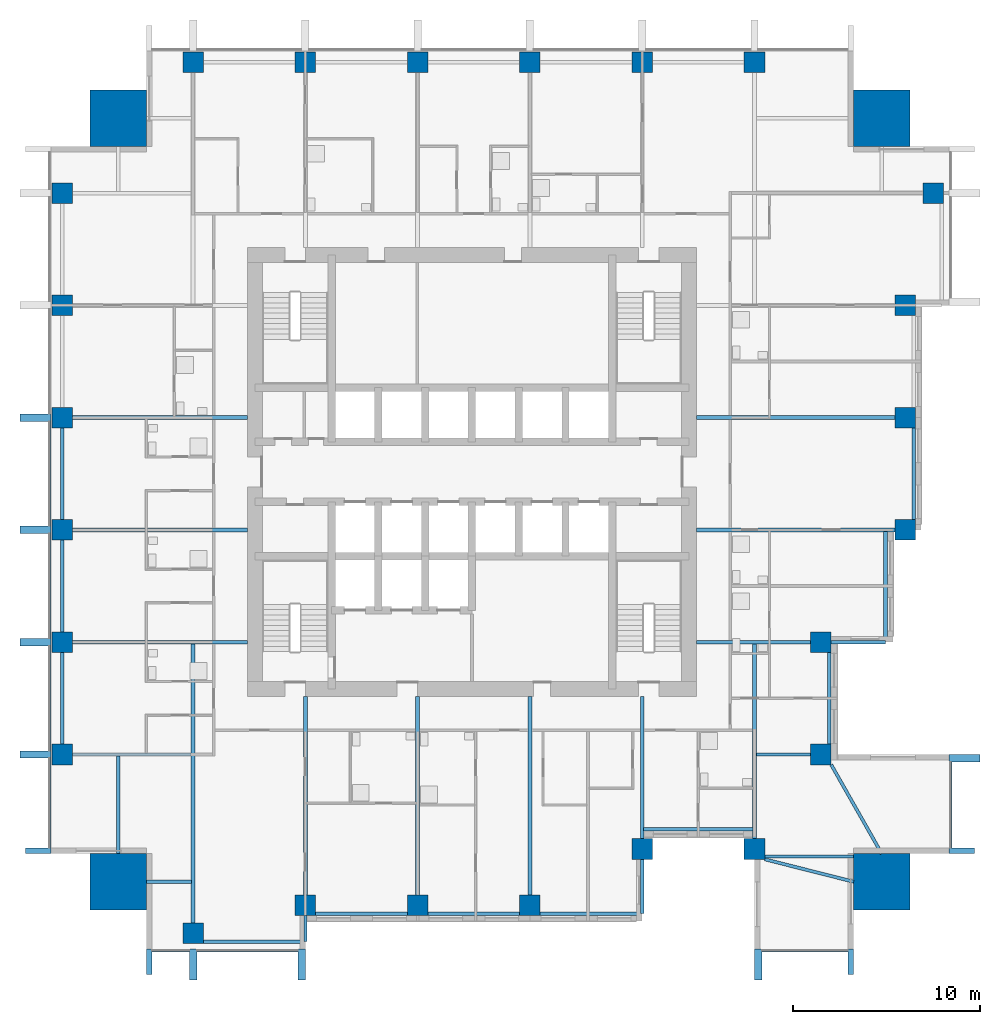
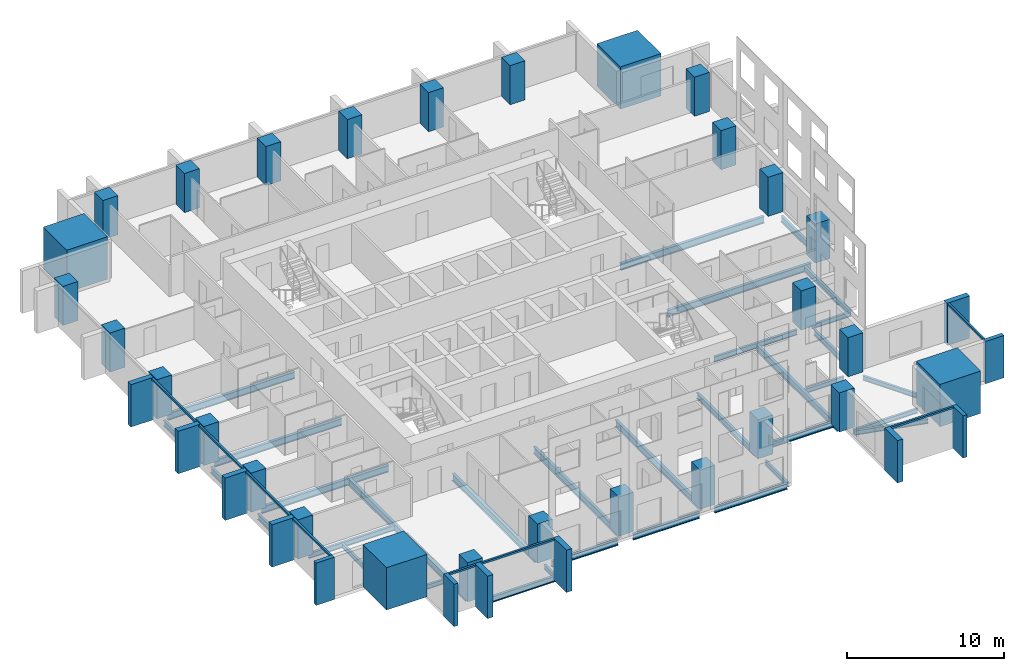
# One storey, part 1 of 11: 33 beams, 28 columns, 20 members, 4 elements without a shape of their own.
"""IFC4 building model written with IfcOpenShell, lengths in metres."""

from ifc_helpers import new_model, si_unit, direction, frame, origin, origin_2d, place, context, subcontext, project, spatial, rectangle, i_section, extrude, material, material_profile, profile_set, type_object, element, aggregate, save


model = new_model("IFC4")

# Units and contexts
model_context = context("Model", 3, precision=1e-05, world=origin(), true_north=direction((0.0, 1.0)))
body_context = subcontext(model_context, "Body", "Model", "MODEL_VIEW")
ifc_project = project(units=[si_unit("LENGTHUNIT", "METRE"), si_unit("AREAUNIT", "SQUARE_METRE"), si_unit("VOLUMEUNIT", "CUBIC_METRE"), si_unit("PLANEANGLEUNIT", "RADIAN"), si_unit("MASSUNIT", "GRAM", prefix="KILO")], contexts=[model_context])

# Site, building, storey
site_placement = place(None, origin())
site = spatial("IfcSite", under=ifc_project, at=site_placement, CompositionType="ELEMENT")
building_placement = place(site_placement, origin())
building = spatial("IfcBuilding", under=site, at=building_placement, Name="Amberfall Residences", CompositionType="ELEMENT")
storey_placement = place(building_placement, frame((0.0, 0.0, 98.5)))
storey = spatial("IfcBuildingStorey", under=building, at=storey_placement, Name="L26", CompositionType="ELEMENT", Elevation=98.5)

# Columns
ifc_material_1 = material(Name="Concrete C70", Category="concrete")
ifc_material_profile_1 = material_profile(ifc_material_1, rectangle(XDim=1.10009765625, YDim=1.10009765625, at=origin_2d()), Name="Column 1100 x 1100 C70")
ifc_profile_set_1 = profile_set([ifc_material_profile_1], Name="Concrete C70")
column_type_1 = type_object("IfcColumnType", Name="Column 1100 x 1100 C70", PredefinedType="COLUMN", material=ifc_profile_set_1)
for number, where, z_axis, x_axis, name in (
    (1, (59.60009765625, 20.85009765625, 0.0), (0.0, 0.0, 1.0), (1.0, 0.0, 0.0), "Column C2 L26 S1"),
    (2, (65.60009765625, 22.35009765625, 0.0), (0.0, 0.0, 1.0), (1.0, 0.0, 0.0), "Column C2 L26 S2"),
    (3, (71.60009765625, 22.35009765625, 0.0), (0.0, 0.0, 1.0), (1.0, 0.0, 0.0), "Column C2 L26 S3"),
    (4, (77.60009765625, 22.35009765625, 0.0), (0.0, 0.0, 1.0), (1.0, 0.0, 0.0), "Column C2 L26 S4"),
    (5, (83.60009765625, 25.35009765625, 0.0), (0.0, 0.0, 1.0), (1.0, 0.0, 0.0), "Column C2 L26 S5"),
    (6, (89.60009765625, 25.35009765625, 0.0), (0.0, 0.0, 1.0), (1.0, 0.0, 0.0), "Column C2 L26 S6"),
    (7, (93.14990234375, 30.39990234375, 0.0), (0.0, 0.0, 1.0), (1.0, 0.0, 0.0), "Column C2 L26 E1"),
    (8, (93.14990234375, 36.39990234375, 0.0), (0.0, 0.0, 1.0), (1.0, 0.0, 0.0), "Column C2 L26 E2"),
    (9, (97.64990234375, 42.39990234375, 0.0), (0.0, 0.0, 1.0), (1.0, 0.0, 0.0), "Column C2 L26 E3"),
    (10, (97.64990234375, 48.39990234375, 0.0), (0.0, 0.0, 1.0), (1.0, 0.0, 0.0), "Column C2 L26 E4"),
    (11, (97.64990234375, 54.39990234375, 0.0), (0.0, 0.0, 1.0), (1.0, 0.0, 0.0), "Column C2 L26 E5"),
    (12, (99.14990234375, 60.39990234375, 0.0), (0.0, 0.0, 1.0), (1.0, 0.0, 0.0), "Column C2 L26 E6"),
    (13, (59.60009765625, 67.39990234375, 0.0), (0.0, 0.0, 1.0), (1.0, 0.0, 0.0), "Column C2 L26 N1"),
    (14, (65.60009765625, 67.39990234375, 0.0), (0.0, 0.0, 1.0), (1.0, 0.0, 0.0), "Column C2 L26 N2"),
    (15, (71.60009765625, 67.39990234375, 0.0), (0.0, 0.0, 1.0), (1.0, 0.0, 0.0), "Column C2 L26 N3"),
    (16, (77.60009765625, 67.39990234375, 0.0), (0.0, 0.0, 1.0), (1.0, 0.0, 0.0), "Column C2 L26 N4"),
    (17, (83.60009765625, 67.39990234375, 0.0), (0.0, 0.0, 1.0), (1.0, 0.0, 0.0), "Column C2 L26 N5"),
    (18, (89.60009765625, 67.39990234375, 0.0), (0.0, 0.0, 1.0), (1.0, 0.0, 0.0), "Column C2 L26 N6"),
    (19, (52.60009765625, 30.39990234375, 0.0), (0.0, 0.0, 1.0), (1.0, 0.0, 0.0), "Column C2 L26 W1"),
    (20, (52.60009765625, 36.39990234375, 0.0), (0.0, 0.0, 1.0), (1.0, 0.0, 0.0), "Column C2 L26 W2"),
    (21, (52.60009765625, 42.39990234375, 0.0), (0.0, 0.0, 1.0), (1.0, 0.0, 0.0), "Column C2 L26 W3"),
    (22, (52.60009765625, 48.39990234375, 0.0), (0.0, 0.0, 1.0), (1.0, 0.0, 0.0), "Column C2 L26 W4"),
    (23, (52.60009765625, 54.39990234375, 0.0), (0.0, 0.0, 1.0), (1.0, 0.0, 0.0), "Column C2 L26 W5"),
    (24, (52.60009765625, 60.39990234375, 0.0), (0.0, 0.0, 1.0), (1.0, 0.0, 0.0), "Column C2 L26 W6"),
):
    element("IfcColumn", number, at=place(storey_placement, frame(where, z_axis=z_axis, x_axis=x_axis)), inside=storey, type_object=column_type_1, Name=name, PredefinedType="COLUMN", context=body_context, shape_type="SweptSolid", body=[
        extrude(rectangle(XDim=1.10009765625, YDim=1.10009765625, at=origin_2d()), origin(), (0.0, 0.0, 1.0), 3.050048828125),
    ])
ifc_material_profile_2 = material_profile(ifc_material_1, rectangle(XDim=3.0, YDim=3.0, at=origin_2d()), Name="Mega column 3000 x 3000 C70")
ifc_profile_set_2 = profile_set([ifc_material_profile_2], Name="Concrete C70")
column_type_2 = type_object("IfcColumnType", Name="Mega column 3000 x 3000 C70", PredefinedType="COLUMN", material=ifc_profile_set_2)
for number, where, z_axis, x_axis, name in (
    (25, (55.60009765625, 23.60009765625, 0.0), (0.0, 0.0, 1.0), (1.0, 0.0, 0.0), "Mega column MC2 L26 SW"),
    (26, (96.39990234375, 23.60009765625, 0.0), (0.0, 0.0, 1.0), (1.0, 0.0, 0.0), "Mega column MC2 L26 SE"),
    (27, (96.39990234375, 64.39990234375, 0.0), (0.0, 0.0, 1.0), (1.0, 0.0, 0.0), "Mega column MC2 L26 NE"),
    (28, (55.60009765625, 64.39990234375, 0.0), (0.0, 0.0, 1.0), (1.0, 0.0, 0.0), "Mega column MC2 L26 NW"),
):
    element("IfcColumn", number, at=place(storey_placement, frame(where, z_axis=z_axis, x_axis=x_axis)), inside=storey, type_object=column_type_2, Name=name, PredefinedType="COLUMN", context=body_context, shape_type="SweptSolid", body=[
        extrude(rectangle(XDim=3.0, YDim=3.0, at=origin_2d()), origin(), (0.0, 0.0, 1.0), 3.300048828125),
    ])

# Curtain wall, members
ifc_material_2 = material(Name="Bronze anodised aluminium and glass", Category="aluminium")
curtain_wall_type = type_object("IfcCurtainWallType", Name="Curtain wall CW1 tower unit", PredefinedType="USERDEFINED", material=ifc_material_2)
curtain_wall_1_placement = place(storey_placement, origin())
curtain_wall_1 = element("IfcCurtainWall", 29, at=curtain_wall_1_placement, inside=storey, type_object=curtain_wall_type, Name="Curtain wall L26 S S1", ObjectType="UNITISED CURTAIN WALL", PredefinedType="USERDEFINED")
ifc_material_3 = material(Name="Bronze anodised aluminium", Category="aluminium")
ifc_material_profile_3 = material_profile(ifc_material_3, rectangle(XDim=0.14990234375, YDim=0.14990234375, at=origin_2d()), Name="CW1 transom 150 x 150 bronze")
ifc_profile_set_3 = profile_set([ifc_material_profile_3], Name="Bronze anodised aluminium")
member_type_1 = type_object("IfcMemberType", Name="CW1 transom 150 x 150 bronze", PredefinedType="USERDEFINED", material=ifc_profile_set_3)
member_1_placement = place(storey_placement, frame((57.39990234375, 19.925048828125, 2.97509765625), z_axis=(1.0, 0.0, 0.0), x_axis=(0.0, 1.0, 0.0)))
member_1 = element("IfcMember", 30, at=member_1_placement, type_object=member_type_1, Name="CW1 transom 1.1", ObjectType="TRANSOM", PredefinedType="USERDEFINED", context=body_context, shape_type="SweptSolid", body=[
    extrude(rectangle(XDim=0.14990234375, YDim=0.14990234375, at=origin_2d()), origin(), (0.0, 0.0, 1.0), 2.0),
])
member_2_placement = place(storey_placement, frame((59.800048828125, 19.925048828125, 2.97509765625), z_axis=(1.0, 0.0, 0.0), x_axis=(0.0, 1.0, 0.0)))
member_2 = element("IfcMember", 31, at=member_2_placement, type_object=member_type_1, Name="CW1 transom 2.1", ObjectType="TRANSOM", PredefinedType="USERDEFINED", context=body_context, shape_type="SweptSolid", body=[
    extrude(rectangle(XDim=0.14990234375, YDim=0.14990234375, at=origin_2d()), origin(), (0.0, 0.0, 1.0), 5.39990234375),
])

# Curtain wall, member
curtain_wall_2_placement = place(storey_placement, origin())
curtain_wall_2 = element("IfcCurtainWall", 32, at=curtain_wall_2_placement, inside=storey, type_object=curtain_wall_type, Name="Curtain wall L26 S S9", ObjectType="UNITISED CURTAIN WALL", PredefinedType="USERDEFINED")
member_3_placement = place(storey_placement, frame((90.0, 19.925048828125, 2.97509765625), z_axis=(1.0, 0.0, 0.0), x_axis=(0.0, 1.0, 0.0)))
member_3 = element("IfcMember", 33, at=member_3_placement, type_object=member_type_1, Name="CW1 transom 1.1", ObjectType="TRANSOM", PredefinedType="USERDEFINED", context=body_context, shape_type="SweptSolid", body=[
    extrude(rectangle(XDim=0.14990234375, YDim=0.14990234375, at=origin_2d()), origin(), (0.0, 0.0, 1.0), 4.60009765625),
])

curtain_wall_3_placement = place(storey_placement, origin())
curtain_wall_3 = element("IfcCurtainWall", 34, at=curtain_wall_3_placement, inside=storey, type_object=curtain_wall_type, Name="Curtain wall L26 E E1", ObjectType="UNITISED CURTAIN WALL", PredefinedType="USERDEFINED")
member_4_placement = place(storey_placement, frame((100.074951171875, 25.39990234375, 2.97509765625), z_axis=(0.0, 1.0, 0.0), x_axis=(-1.0, 0.0, 0.0)))
member_4 = element("IfcMember", 35, at=member_4_placement, type_object=member_type_1, Name="CW1 transom 1.1", ObjectType="TRANSOM", PredefinedType="USERDEFINED", context=body_context, shape_type="SweptSolid", body=[
    extrude(rectangle(XDim=0.14990234375, YDim=0.14990234375, at=origin_2d()), origin(), (0.0, 0.0, 1.0), 4.60009765625),
])

# Curtain wall, members
curtain_wall_4_placement = place(storey_placement, origin())
curtain_wall_4 = element("IfcCurtainWall", 36, at=curtain_wall_4_placement, inside=storey, type_object=curtain_wall_type, Name="Curtain wall L26 W W1", ObjectType="UNITISED CURTAIN WALL", PredefinedType="USERDEFINED")
member_5_placement = place(storey_placement, frame((51.925048828125, 48.199951171875, 2.97509765625), z_axis=(0.0, -1.0, 0.0), x_axis=(1.0, 0.0, 0.0)))
member_5 = element("IfcMember", 37, at=member_5_placement, type_object=member_type_1, Name="CW1 transom 4.1", ObjectType="TRANSOM", PredefinedType="USERDEFINED", context=body_context, shape_type="SweptSolid", body=[
    extrude(rectangle(XDim=0.14990234375, YDim=0.14990234375, at=origin_2d()), origin(), (0.0, 0.0, 1.0), 5.599853515625),
])
member_6_placement = place(storey_placement, frame((51.925048828125, 42.199951171875, 2.97509765625), z_axis=(0.0, -1.0, 0.0), x_axis=(1.0, 0.0, 0.0)))
member_6 = element("IfcMember", 38, at=member_6_placement, type_object=member_type_1, Name="CW1 transom 5.1", ObjectType="TRANSOM", PredefinedType="USERDEFINED", context=body_context, shape_type="SweptSolid", body=[
    extrude(rectangle(XDim=0.14990234375, YDim=0.14990234375, at=origin_2d()), origin(), (0.0, 0.0, 1.0), 5.599853515625),
])
member_7_placement = place(storey_placement, frame((51.925048828125, 36.199951171875, 2.97509765625), z_axis=(0.0, -1.0, 0.0), x_axis=(1.0, 0.0, 0.0)))
member_7 = element("IfcMember", 39, at=member_7_placement, type_object=member_type_1, Name="CW1 transom 6.1", ObjectType="TRANSOM", PredefinedType="USERDEFINED", context=body_context, shape_type="SweptSolid", body=[
    extrude(rectangle(XDim=0.14990234375, YDim=0.14990234375, at=origin_2d()), origin(), (0.0, 0.0, 1.0), 5.599853515625),
])
member_8_placement = place(storey_placement, frame((51.925048828125, 30.199951171875, 2.97509765625), z_axis=(0.0, -1.0, 0.0), x_axis=(1.0, 0.0, 0.0)))
member_8 = element("IfcMember", 40, at=member_8_placement, type_object=member_type_1, Name="CW1 transom 7.1", ObjectType="TRANSOM", PredefinedType="USERDEFINED", context=body_context, shape_type="SweptSolid", body=[
    extrude(rectangle(XDim=0.14990234375, YDim=0.14990234375, at=origin_2d()), origin(), (0.0, 0.0, 1.0), 4.800048828125),
])

# Beams
ifc_material_4 = material(Name="Steel S355", Category="steel")
ifc_material_profile_4 = material_profile(ifc_material_4, i_section(OverallWidth=0.171142578125, OverallDepth=0.351318359375, WebThickness=0.007080078125, FlangeThickness=0.009765625, FilletRadius=0.01025390625, at=origin_2d()), Name="UB 356x171x45")
ifc_profile_set_4 = profile_set([ifc_material_profile_4], Name="Steel S355")
beam_type_1 = type_object("IfcBeamType", Name="Cantilever girder UB 356x171x45", PredefinedType="BEAM", material=ifc_profile_set_4)
beam_1_placement = place(storey_placement, frame((65.60009765625, 21.800048828125, -0.42578125), z_axis=(0.0, -1.0, 0.0), x_axis=(1.0, 0.0, 0.0)))
element("IfcBeam", 41, at=beam_1_placement, inside=storey, type_object=beam_type_1, Name="Cantilever girder B8 L26 06", PredefinedType="BEAM", context=body_context, shape_type="SweptSolid", body=[
    extrude(i_section(OverallWidth=0.171142578125, OverallDepth=0.351318359375, WebThickness=0.007080078125, FlangeThickness=0.009765625, FilletRadius=0.01025390625, at=origin_2d()), origin(), (0.0, 0.0, 1.0), 1.400146484375),
])
for number, where, z_axis, x_axis, name in (
    (42, (83.60009765625, 24.800048828125, -0.42578125), (0.0, -1.0, 0.0), (1.0, 0.0, 0.0), "Cantilever girder B8 L26 07"),
    (43, (93.699951171875, 36.39990234375, -0.42578125), (1.0, 0.0, 0.0), (0.0, 1.0, 0.0), "Cantilever girder B8 L26 19"),
):
    element("IfcBeam", number, at=place(storey_placement, frame(where, z_axis=z_axis, x_axis=x_axis)), inside=storey, type_object=beam_type_1, Name=name, PredefinedType="BEAM", context=body_context, shape_type="SweptSolid", body=[
        extrude(i_section(OverallWidth=0.171142578125, OverallDepth=0.351318359375, WebThickness=0.007080078125, FlangeThickness=0.009765625, FilletRadius=0.01025390625, at=origin_2d()), origin(), (0.0, 0.0, 1.0), 2.900146484375),
    ])

# Member
ifc_material_profile_5 = material_profile(ifc_material_3, rectangle(XDim=1.35009765625, YDim=0.300048828125, at=origin_2d()), Name="Corner fin 300 x 1350 bronze")
ifc_profile_set_5 = profile_set([ifc_material_profile_5], Name="Bronze anodised aluminium")
member_type_2 = type_object("IfcMemberType", Name="Corner fin 300 x 1350 bronze", PredefinedType="MULLION", material=ifc_profile_set_5)
member_9_placement = place(storey_placement, frame((57.25, 19.324951171875, -0.25), z_axis=(0.0, 0.0, 1.0), x_axis=(0.0, 1.0, 0.0)))
member_9 = element("IfcMember", 44, at=member_9_placement, type_object=member_type_2, Name="CW FIN 1", PredefinedType="MULLION", context=body_context, shape_type="SweptSolid", body=[
    extrude(rectangle(XDim=1.35009765625, YDim=0.300048828125, at=origin_2d()), origin(), (0.0, 0.0, 1.0), 3.300048828125),
])

member_10_placement = place(storey_placement, frame((94.75, 19.324951171875, -0.25), z_axis=(0.0, 0.0, 1.0), x_axis=(0.0, 1.0, 0.0)))
member_10 = element("IfcMember", 45, at=member_10_placement, type_object=member_type_2, Name="CW FIN 2", PredefinedType="MULLION", context=body_context, shape_type="SweptSolid", body=[
    extrude(rectangle(XDim=1.35009765625, YDim=0.300048828125, at=origin_2d()), origin(), (0.0, 0.0, 1.0), 3.300048828125),
])

member_11_placement = place(storey_placement, frame((100.675048828125, 25.25, -0.25), z_axis=(0.0, 0.0, 1.0), x_axis=(-1.0, 0.0, 0.0)))
member_11 = element("IfcMember", 46, at=member_11_placement, type_object=member_type_2, Name="CW FIN 1", PredefinedType="MULLION", context=body_context, shape_type="SweptSolid", body=[
    extrude(rectangle(XDim=1.35009765625, YDim=0.300048828125, at=origin_2d()), origin(), (0.0, 0.0, 1.0), 3.300048828125),
])

member_12_placement = place(storey_placement, frame((51.324951171875, 25.25, -0.25), z_axis=(0.0, 0.0, 1.0), x_axis=(1.0, 0.0, 0.0)))
member_12 = element("IfcMember", 47, at=member_12_placement, type_object=member_type_2, Name="CW FIN 8", PredefinedType="MULLION", context=body_context, shape_type="SweptSolid", body=[
    extrude(rectangle(XDim=1.35009765625, YDim=0.300048828125, at=origin_2d()), origin(), (0.0, 0.0, 1.0), 3.300048828125),
])

# Beams
ifc_material_profile_6 = material_profile(ifc_material_4, i_section(OverallWidth=0.18994140625, OverallDepth=0.453369140625, WebThickness=0.008544921875, FlangeThickness=0.0126953125, FilletRadius=0.01025390625, at=origin_2d()), Name="UB 457x191x67")
ifc_profile_set_6 = profile_set([ifc_material_profile_6], Name="Steel S355")
beam_type_2 = type_object("IfcBeamType", Name="Edge beam UB 457x191x67", PredefinedType="SPANDREL", material=ifc_profile_set_6)
beam_2_placement = place(storey_placement, frame((60.14990234375, 20.39990234375, -0.476806640625), z_axis=(1.0, 0.0, 0.0), x_axis=(0.0, 1.0, 0.0)))
element("IfcBeam", 48, at=beam_2_placement, inside=storey, type_object=beam_type_2, Name="Edge beam B1 L26 01", PredefinedType="SPANDREL", context=body_context, shape_type="SweptSolid", body=[
    extrude(i_section(OverallWidth=0.18994140625, OverallDepth=0.453369140625, WebThickness=0.008544921875, FlangeThickness=0.0126953125, FilletRadius=0.01025390625, at=origin_2d()), origin(), (0.0, 0.0, 1.0), 5.3701171875),
])
for number, where, z_axis, x_axis, name in (
    (49, (66.14990234375, 21.89990234375, -0.476806640625), (1.0, 0.0, 0.0), (0.0, 1.0, 0.0), "Edge beam B1 L26 02"),
    (50, (72.14990234375, 21.89990234375, -0.476806640625), (1.0, 0.0, 0.0), (0.0, 1.0, 0.0), "Edge beam B1 L26 03"),
):
    element("IfcBeam", number, at=place(storey_placement, frame(where, z_axis=z_axis, x_axis=x_axis)), inside=storey, type_object=beam_type_2, Name=name, PredefinedType="SPANDREL", context=body_context, shape_type="SweptSolid", body=[
        extrude(i_section(OverallWidth=0.18994140625, OverallDepth=0.453369140625, WebThickness=0.008544921875, FlangeThickness=0.0126953125, FilletRadius=0.01025390625, at=origin_2d()), origin(), (0.0, 0.0, 1.0), 4.900146484375),
    ])
beam_3_placement = place(storey_placement, frame((78.14990234375, 21.89990234375, -0.476806640625), z_axis=(1.0, 0.0, 0.0), x_axis=(0.0, 1.0, 0.0)))
element("IfcBeam", 51, at=beam_3_placement, inside=storey, type_object=beam_type_2, Name="Edge beam B1 L26 04", PredefinedType="SPANDREL", context=body_context, shape_type="SweptSolid", body=[
    extrude(i_section(OverallWidth=0.18994140625, OverallDepth=0.453369140625, WebThickness=0.008544921875, FlangeThickness=0.0126953125, FilletRadius=0.01025390625, at=origin_2d()), origin(), (0.0, 0.0, 1.0), 5.3701171875),
])
beam_4_placement = place(storey_placement, frame((83.679931640625, 26.39990234375, -0.476806640625), z_axis=(1.0, 0.0, 0.0), x_axis=(0.0, 1.0, 0.0)))
element("IfcBeam", 52, at=beam_4_placement, inside=storey, type_object=beam_type_2, Name="Edge beam B1 L26 05", PredefinedType="SPANDREL", context=body_context, shape_type="SweptSolid", body=[
    extrude(i_section(OverallWidth=0.18994140625, OverallDepth=0.453369140625, WebThickness=0.008544921875, FlangeThickness=0.0126953125, FilletRadius=0.01025390625, at=origin_2d()), origin(), (0.0, 0.0, 1.0), 5.840087890625),
])
beam_5_placement = place(storey_placement, frame((93.60009765625, 30.949951171875, -0.476806640625), z_axis=(0.0, 1.0, 0.0), x_axis=(-1.0, 0.0, 0.0)))
element("IfcBeam", 53, at=beam_5_placement, inside=storey, type_object=beam_type_2, Name="Edge beam B1 L26 14", PredefinedType="SPANDREL", context=body_context, shape_type="SweptSolid", body=[
    extrude(i_section(OverallWidth=0.18994140625, OverallDepth=0.453369140625, WebThickness=0.008544921875, FlangeThickness=0.0126953125, FilletRadius=0.01025390625, at=origin_2d()), origin(), (0.0, 0.0, 1.0), 4.900146484375),
])
beam_6_placement = place(storey_placement, frame((96.60009765625, 36.47998046875, -0.476806640625), z_axis=(0.0, 1.0, 0.0), x_axis=(-1.0, 0.0, 0.0)))
element("IfcBeam", 54, at=beam_6_placement, inside=storey, type_object=beam_type_2, Name="Edge beam B1 L26 15", PredefinedType="SPANDREL", context=body_context, shape_type="SweptSolid", body=[
    extrude(i_section(OverallWidth=0.18994140625, OverallDepth=0.453369140625, WebThickness=0.008544921875, FlangeThickness=0.0126953125, FilletRadius=0.01025390625, at=origin_2d()), origin(), (0.0, 0.0, 1.0), 5.840087890625),
])
for number, where, z_axis, x_axis, name in (
    (55, (98.10009765625, 42.949951171875, -0.476806640625), (0.0, 1.0, 0.0), (-1.0, 0.0, 0.0), "Edge beam B1 L26 16"),
    (56, (52.60009765625, 30.949951171875, -0.476806640625), (0.0, 1.0, 0.0), (-1.0, 0.0, 0.0), "Edge beam B1 L26 38"),
    (57, (52.60009765625, 36.949951171875, -0.476806640625), (0.0, 1.0, 0.0), (-1.0, 0.0, 0.0), "Edge beam B1 L26 39"),
    (58, (52.60009765625, 42.949951171875, -0.476806640625), (0.0, 1.0, 0.0), (-1.0, 0.0, 0.0), "Edge beam B1 L26 40"),
):
    element("IfcBeam", number, at=place(storey_placement, frame(where, z_axis=z_axis, x_axis=x_axis)), inside=storey, type_object=beam_type_2, Name=name, PredefinedType="SPANDREL", context=body_context, shape_type="SweptSolid", body=[
        extrude(i_section(OverallWidth=0.18994140625, OverallDepth=0.453369140625, WebThickness=0.008544921875, FlangeThickness=0.0126953125, FilletRadius=0.01025390625, at=origin_2d()), origin(), (0.0, 0.0, 1.0), 4.900146484375),
    ])

# Member
ifc_material_profile_7 = material_profile(ifc_material_3, rectangle(XDim=1.64990234375, YDim=0.39990234375, at=origin_2d()), Name="Fin 400 x 1650 bronze")
ifc_profile_set_7 = profile_set([ifc_material_profile_7], Name="Bronze anodised aluminium")
member_type_3 = type_object("IfcMemberType", Name="Fin 400 x 1650 bronze", PredefinedType="MULLION", material=ifc_profile_set_7)
member_13_placement = place(storey_placement, frame((59.60009765625, 19.175048828125, -0.25), z_axis=(0.0, 0.0, 1.0), x_axis=(0.0, 1.0, 0.0)))
member_13 = element("IfcMember", 59, at=member_13_placement, type_object=member_type_3, Name="CW FIN 2", PredefinedType="MULLION", context=body_context, shape_type="SweptSolid", body=[
    extrude(rectangle(XDim=1.64990234375, YDim=0.39990234375, at=origin_2d()), origin(), (0.0, 0.0, 1.0), 3.300048828125),
])

member_14_placement = place(storey_placement, frame((65.39990234375, 19.175048828125, -0.25), z_axis=(0.0, 0.0, 1.0), x_axis=(0.0, 1.0, 0.0)))
member_14 = element("IfcMember", 60, at=member_14_placement, type_object=member_type_3, Name="CW FIN 3", PredefinedType="MULLION", context=body_context, shape_type="SweptSolid", body=[
    extrude(rectangle(XDim=1.64990234375, YDim=0.39990234375, at=origin_2d()), origin(), (0.0, 0.0, 1.0), 3.300048828125),
])

aggregate(curtain_wall_1, [member_9, member_13, member_14, member_1, member_2])

member_15_placement = place(storey_placement, frame((89.800048828125, 19.175048828125, -0.25), z_axis=(0.0, 0.0, 1.0), x_axis=(0.0, 1.0, 0.0)))
member_15 = element("IfcMember", 61, at=member_15_placement, type_object=member_type_3, Name="CW FIN 1", PredefinedType="MULLION", context=body_context, shape_type="SweptSolid", body=[
    extrude(rectangle(XDim=1.64990234375, YDim=0.39990234375, at=origin_2d()), origin(), (0.0, 0.0, 1.0), 3.300048828125),
])

aggregate(curtain_wall_2, [member_15, member_10, member_3])

member_16_placement = place(storey_placement, frame((100.824951171875, 30.199951171875, -0.25), z_axis=(0.0, 0.0, 1.0), x_axis=(-1.0, 0.0, 0.0)))
member_16 = element("IfcMember", 62, at=member_16_placement, type_object=member_type_3, Name="CW FIN 2", PredefinedType="MULLION", context=body_context, shape_type="SweptSolid", body=[
    extrude(rectangle(XDim=1.64990234375, YDim=0.39990234375, at=origin_2d()), origin(), (0.0, 0.0, 1.0), 3.300048828125),
])

aggregate(curtain_wall_3, [member_11, member_16, member_4])

member_17_placement = place(storey_placement, frame((51.175048828125, 48.39990234375, -0.25), z_axis=(0.0, 0.0, 1.0), x_axis=(1.0, 0.0, 0.0)))
member_17 = element("IfcMember", 63, at=member_17_placement, type_object=member_type_3, Name="CW FIN 4", PredefinedType="MULLION", context=body_context, shape_type="SweptSolid", body=[
    extrude(rectangle(XDim=1.64990234375, YDim=0.39990234375, at=origin_2d()), origin(), (0.0, 0.0, 1.0), 3.300048828125),
])

member_18_placement = place(storey_placement, frame((51.175048828125, 42.39990234375, -0.25), z_axis=(0.0, 0.0, 1.0), x_axis=(1.0, 0.0, 0.0)))
member_18 = element("IfcMember", 64, at=member_18_placement, type_object=member_type_3, Name="CW FIN 5", PredefinedType="MULLION", context=body_context, shape_type="SweptSolid", body=[
    extrude(rectangle(XDim=1.64990234375, YDim=0.39990234375, at=origin_2d()), origin(), (0.0, 0.0, 1.0), 3.300048828125),
])

member_19_placement = place(storey_placement, frame((51.175048828125, 36.39990234375, -0.25), z_axis=(0.0, 0.0, 1.0), x_axis=(1.0, 0.0, 0.0)))
member_19 = element("IfcMember", 65, at=member_19_placement, type_object=member_type_3, Name="CW FIN 6", PredefinedType="MULLION", context=body_context, shape_type="SweptSolid", body=[
    extrude(rectangle(XDim=1.64990234375, YDim=0.39990234375, at=origin_2d()), origin(), (0.0, 0.0, 1.0), 3.300048828125),
])

member_20_placement = place(storey_placement, frame((51.175048828125, 30.39990234375, -0.25), z_axis=(0.0, 0.0, 1.0), x_axis=(1.0, 0.0, 0.0)))
member_20 = element("IfcMember", 66, at=member_20_placement, type_object=member_type_3, Name="CW FIN 7", PredefinedType="MULLION", context=body_context, shape_type="SweptSolid", body=[
    extrude(rectangle(XDim=1.64990234375, YDim=0.39990234375, at=origin_2d()), origin(), (0.0, 0.0, 1.0), 3.300048828125),
])

aggregate(curtain_wall_4, [member_17, member_18, member_19, member_20, member_12, member_5, member_6, member_7, member_8])

# Beams
ifc_material_profile_8 = material_profile(ifc_material_4, i_section(OverallWidth=0.171142578125, OverallDepth=0.351318359375, WebThickness=0.007080078125, FlangeThickness=0.009765625, FilletRadius=0.01025390625, at=origin_2d()), Name="UB 356x171x45")
ifc_profile_set_8 = profile_set([ifc_material_profile_8], Name="Steel S355")
beam_type_3 = type_object("IfcBeamType", Name="Floor girder UB 356x171x45", PredefinedType="BEAM", material=ifc_profile_set_8)
beam_7_placement = place(storey_placement, frame((92.60009765625, 30.39990234375, -0.42578125), z_axis=(-1.0, 0.0, 0.0), x_axis=(0.0, -1.0, 0.0)))
element("IfcBeam", 67, at=beam_7_placement, inside=storey, type_object=beam_type_3, Name="Floor girder B11 L26 21", PredefinedType="BEAM", context=body_context, shape_type="SweptSolid", body=[
    extrude(i_section(OverallWidth=0.171142578125, OverallDepth=0.351318359375, WebThickness=0.007080078125, FlangeThickness=0.009765625, FilletRadius=0.01025390625, at=origin_2d()), origin(), (0.0, 0.0, 1.0), 2.880126953125),
])
ifc_material_profile_9 = material_profile(ifc_material_4, i_section(OverallWidth=0.177734375, OverallDepth=0.402587890625, WebThickness=0.0078125, FlangeThickness=0.010986328125, FilletRadius=0.01025390625, at=origin_2d()), Name="UB 406x178x54")
ifc_profile_set_9 = profile_set([ifc_material_profile_9], Name="Steel S355")
beam_type_4 = type_object("IfcBeamType", Name="Floor girder UB 406x178x54", PredefinedType="BEAM", material=ifc_profile_set_9)
beam_8_placement = place(storey_placement, frame((92.60009765625, 36.39990234375, -0.451416015625), z_axis=(-1.0, 0.0, 0.0), x_axis=(0.0, -1.0, 0.0)))
element("IfcBeam", 68, at=beam_8_placement, inside=storey, type_object=beam_type_4, Name="Floor girder B4 L26 22", PredefinedType="BEAM", context=body_context, shape_type="SweptSolid", body=[
    extrude(i_section(OverallWidth=0.177734375, OverallDepth=0.402587890625, WebThickness=0.0078125, FlangeThickness=0.010986328125, FilletRadius=0.01025390625, at=origin_2d()), origin(), (0.0, 0.0, 1.0), 6.10009765625),
])
beam_9_placement = place(storey_placement, frame((53.14990234375, 30.39990234375, -0.451416015625), z_axis=(1.0, 0.0, 0.0), x_axis=(0.0, 1.0, 0.0)))
element("IfcBeam", 69, at=beam_9_placement, inside=storey, type_object=beam_type_4, Name="Floor girder B4 L26 43", PredefinedType="BEAM", context=body_context, shape_type="SweptSolid", body=[
    extrude(i_section(OverallWidth=0.177734375, OverallDepth=0.402587890625, WebThickness=0.0078125, FlangeThickness=0.010986328125, FilletRadius=0.01025390625, at=origin_2d()), origin(), (0.0, 0.0, 1.0), 6.330078125),
])
ifc_material_profile_10 = material_profile(ifc_material_4, i_section(OverallWidth=0.19140625, OverallDepth=0.4599609375, WebThickness=0.010009765625, FlangeThickness=0.01611328125, FilletRadius=0.01025390625, at=origin_2d()), Name="UB 457x191x82")
ifc_profile_set_10 = profile_set([ifc_material_profile_10], Name="Steel S355")
beam_type_5 = type_object("IfcBeamType", Name="Floor girder UB 457x191x82", PredefinedType="BEAM", material=ifc_profile_set_10)
beam_10_placement = place(storey_placement, frame((83.60009765625, 25.89990234375, -0.47998046875), z_axis=(0.0, 1.0, 0.0), x_axis=(-1.0, 0.0, 0.0)))
element("IfcBeam", 70, at=beam_10_placement, inside=storey, type_object=beam_type_5, Name="Floor girder B10 L26 12", PredefinedType="BEAM", context=body_context, shape_type="SweptSolid", body=[
    extrude(i_section(OverallWidth=0.19140625, OverallDepth=0.4599609375, WebThickness=0.010009765625, FlangeThickness=0.01611328125, FilletRadius=0.01025390625, at=origin_2d()), origin(), (0.0, 0.0, 1.0), 7.60009765625),
])
ifc_material_profile_11 = material_profile(ifc_material_4, i_section(OverallWidth=0.210693359375, OverallDepth=0.53955078125, WebThickness=0.01171875, FlangeThickness=0.018798828125, FilletRadius=0.0126953125, at=origin_2d()), Name="UB 533x210x109")
ifc_profile_set_11 = profile_set([ifc_material_profile_11], Name="Steel S355")
beam_type_6 = type_object("IfcBeamType", Name="Floor girder UB 533x210x109", PredefinedType="BEAM", material=ifc_profile_set_11)
beam_11_placement = place(storey_placement, frame((59.60009765625, 21.39990234375, -0.519775390625), z_axis=(0.0, 1.0, 0.0), x_axis=(-1.0, 0.0, 0.0)))
element("IfcBeam", 71, at=beam_11_placement, inside=storey, type_object=beam_type_6, Name="Floor girder B2 L26 08", PredefinedType="BEAM", context=body_context, shape_type="SweptSolid", body=[
    extrude(i_section(OverallWidth=0.210693359375, OverallDepth=0.53955078125, WebThickness=0.01171875, FlangeThickness=0.018798828125, FilletRadius=0.0126953125, at=origin_2d()), origin(), (0.0, 0.0, 1.0), 14.900390625),
])
ifc_material_profile_12 = material_profile(ifc_material_4, i_section(OverallWidth=0.209228515625, OverallDepth=0.533203125, WebThickness=0.010009765625, FlangeThickness=0.015625, FilletRadius=0.0126953125, at=origin_2d()), Name="UB 533x210x92")
ifc_profile_set_12 = profile_set([ifc_material_profile_12], Name="Steel S355")
beam_type_7 = type_object("IfcBeamType", Name="Floor girder UB 533x210x92", PredefinedType="BEAM", material=ifc_profile_set_12)
for number, where, z_axis, x_axis, name in (
    (72, (65.60009765625, 22.89990234375, -0.5166015625), (0.0, 1.0, 0.0), (-1.0, 0.0, 0.0), "Floor girder B3 L26 09"),
    (73, (71.60009765625, 22.89990234375, -0.5166015625), (0.0, 1.0, 0.0), (-1.0, 0.0, 0.0), "Floor girder B3 L26 10"),
    (74, (77.60009765625, 22.89990234375, -0.5166015625), (0.0, 1.0, 0.0), (-1.0, 0.0, 0.0), "Floor girder B3 L26 11"),
):
    element("IfcBeam", number, at=place(storey_placement, frame(where, z_axis=z_axis, x_axis=x_axis)), inside=storey, type_object=beam_type_7, Name=name, PredefinedType="BEAM", context=body_context, shape_type="SweptSolid", body=[
        extrude(i_section(OverallWidth=0.209228515625, OverallDepth=0.533203125, WebThickness=0.010009765625, FlangeThickness=0.015625, FilletRadius=0.0126953125, at=origin_2d()), origin(), (0.0, 0.0, 1.0), 10.60009765625),
    ])
beam_12_placement = place(storey_placement, frame((89.60009765625, 25.89990234375, -0.5166015625), z_axis=(0.0, 1.0, 0.0), x_axis=(-1.0, 0.0, 0.0)))
element("IfcBeam", 75, at=beam_12_placement, inside=storey, type_object=beam_type_7, Name="Floor girder B3 L26 13", PredefinedType="BEAM", context=body_context, shape_type="SweptSolid", body=[
    extrude(i_section(OverallWidth=0.209228515625, OverallDepth=0.533203125, WebThickness=0.010009765625, FlangeThickness=0.015625, FilletRadius=0.0126953125, at=origin_2d()), origin(), (0.0, 0.0, 1.0), 10.416259765625),
])
for number, where, z_axis, x_axis, name in (
    (76, (97.10009765625, 42.39990234375, -0.5166015625), (-1.0, 0.0, 0.0), (0.0, -1.0, 0.0), "Floor girder B3 L26 23"),
    (77, (97.10009765625, 48.39990234375, -0.5166015625), (-1.0, 0.0, 0.0), (0.0, -1.0, 0.0), "Floor girder B3 L26 24"),
):
    element("IfcBeam", number, at=place(storey_placement, frame(where, z_axis=z_axis, x_axis=x_axis)), inside=storey, type_object=beam_type_7, Name=name, PredefinedType="BEAM", context=body_context, shape_type="SweptSolid", body=[
        extrude(i_section(OverallWidth=0.209228515625, OverallDepth=0.533203125, WebThickness=0.010009765625, FlangeThickness=0.015625, FilletRadius=0.0126953125, at=origin_2d()), origin(), (0.0, 0.0, 1.0), 10.60009765625),
    ])
for number, where, z_axis, x_axis, name in (
    (78, (53.14990234375, 36.39990234375, -0.5166015625), (1.0, 0.0, 0.0), (0.0, 1.0, 0.0), "Floor girder B3 L26 44"),
    (79, (53.14990234375, 42.39990234375, -0.5166015625), (1.0, 0.0, 0.0), (0.0, 1.0, 0.0), "Floor girder B3 L26 45"),
    (80, (53.14990234375, 48.39990234375, -0.5166015625), (1.0, 0.0, 0.0), (0.0, 1.0, 0.0), "Floor girder B3 L26 46"),
):
    element("IfcBeam", number, at=place(storey_placement, frame(where, z_axis=z_axis, x_axis=x_axis)), inside=storey, type_object=beam_type_7, Name=name, PredefinedType="BEAM", context=body_context, shape_type="SweptSolid", body=[
        extrude(i_section(OverallWidth=0.209228515625, OverallDepth=0.533203125, WebThickness=0.010009765625, FlangeThickness=0.015625, FilletRadius=0.0126953125, at=origin_2d()), origin(), (0.0, 0.0, 1.0), 9.35009765625),
    ])
ifc_material_profile_13 = material_profile(ifc_material_4, i_section(OverallWidth=0.171142578125, OverallDepth=0.351318359375, WebThickness=0.007080078125, FlangeThickness=0.009765625, FilletRadius=0.01025390625, at=origin_2d()), Name="UB 356x171x45")
ifc_profile_set_13 = profile_set([ifc_material_profile_13], Name="Steel S355")
beam_type_8 = type_object("IfcBeamType", Name="Link beam UB 356x171x45", PredefinedType="BEAM", material=ifc_profile_set_13)
beam_13_placement = place(storey_placement, frame((90.14990234375, 24.949951171875, -0.42578125), z_axis=(1.0, 0.0, 0.0), x_axis=(0.0, 1.0, 0.0)))
element("IfcBeam", 81, at=beam_13_placement, inside=storey, type_object=beam_type_8, Name="Link beam B7 L26 49", PredefinedType="BEAM", context=body_context, shape_type="SweptSolid", body=[
    extrude(i_section(OverallWidth=0.171142578125, OverallDepth=0.351318359375, WebThickness=0.007080078125, FlangeThickness=0.009765625, FilletRadius=0.01025390625, at=origin_2d()), origin(), (0.0, 0.0, 1.0), 4.75),
])
beam_14_placement = place(storey_placement, frame((57.10009765625, 23.60009765625, -0.42578125), z_axis=(1.0, 0.0, 0.0), x_axis=(0.0, 1.0, 0.0)))
element("IfcBeam", 82, at=beam_14_placement, inside=storey, type_object=beam_type_8, Name="Link beam B7 L26 50", PredefinedType="BEAM", context=body_context, shape_type="SweptSolid", body=[
    extrude(i_section(OverallWidth=0.171142578125, OverallDepth=0.351318359375, WebThickness=0.007080078125, FlangeThickness=0.009765625, FilletRadius=0.01025390625, at=origin_2d()), origin(), (0.0, 0.0, 1.0), 2.404541015625),
])
beam_15_placement = place(storey_placement, frame((55.60009765625, 25.10009765625, -0.42578125), z_axis=(0.0, 1.0, 0.0), x_axis=(-1.0, 0.0, 0.0)))
element("IfcBeam", 83, at=beam_15_placement, inside=storey, type_object=beam_type_8, Name="Link beam B7 L26 51", PredefinedType="BEAM", context=body_context, shape_type="SweptSolid", body=[
    extrude(i_section(OverallWidth=0.171142578125, OverallDepth=0.351318359375, WebThickness=0.007080078125, FlangeThickness=0.009765625, FilletRadius=0.01025390625, at=origin_2d()), origin(), (0.0, 0.0, 1.0), 5.22119140625),
])
beam_16_placement = place(storey_placement, frame((94.89990234375, 23.60009765625, -0.42578125), z_axis=(-0.969541561087, 0.244926848928, 0.0), x_axis=(-0.244926848928, -0.969541561087, 0.0)))
element("IfcBeam", 84, at=beam_16_placement, inside=storey, type_object=beam_type_8, Name="Link beam B7 L26 52", PredefinedType="BEAM", context=body_context, shape_type="SweptSolid", body=[
    extrude(i_section(OverallWidth=0.171142578125, OverallDepth=0.351318359375, WebThickness=0.007080078125, FlangeThickness=0.009765625, FilletRadius=0.01025390625, at=origin_2d()), origin(), (0.0, 0.0, 1.0), 4.899169921875),
])
beam_17_placement = place(storey_placement, frame((96.39990234375, 25.10009765625, -0.42578125), z_axis=(-0.494159870511, 0.869371049884, 0.0), x_axis=(-0.869371049884, -0.494159870511, 0.0)))
element("IfcBeam", 85, at=beam_17_placement, inside=storey, type_object=beam_type_8, Name="Link beam B7 L26 53", PredefinedType="BEAM", context=body_context, shape_type="SweptSolid", body=[
    extrude(i_section(OverallWidth=0.171142578125, OverallDepth=0.351318359375, WebThickness=0.007080078125, FlangeThickness=0.009765625, FilletRadius=0.01025390625, at=origin_2d()), origin(), (0.0, 0.0, 1.0), 5.463623046875),
])

save(model, "model.ifc")
